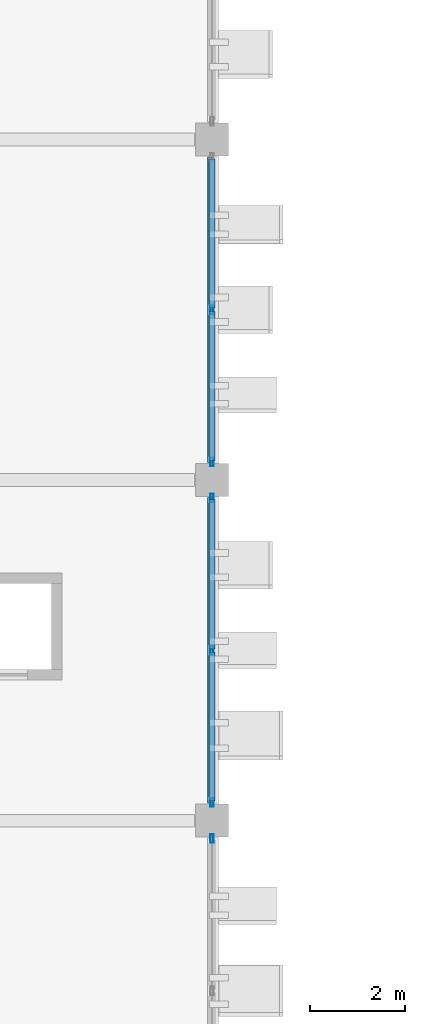
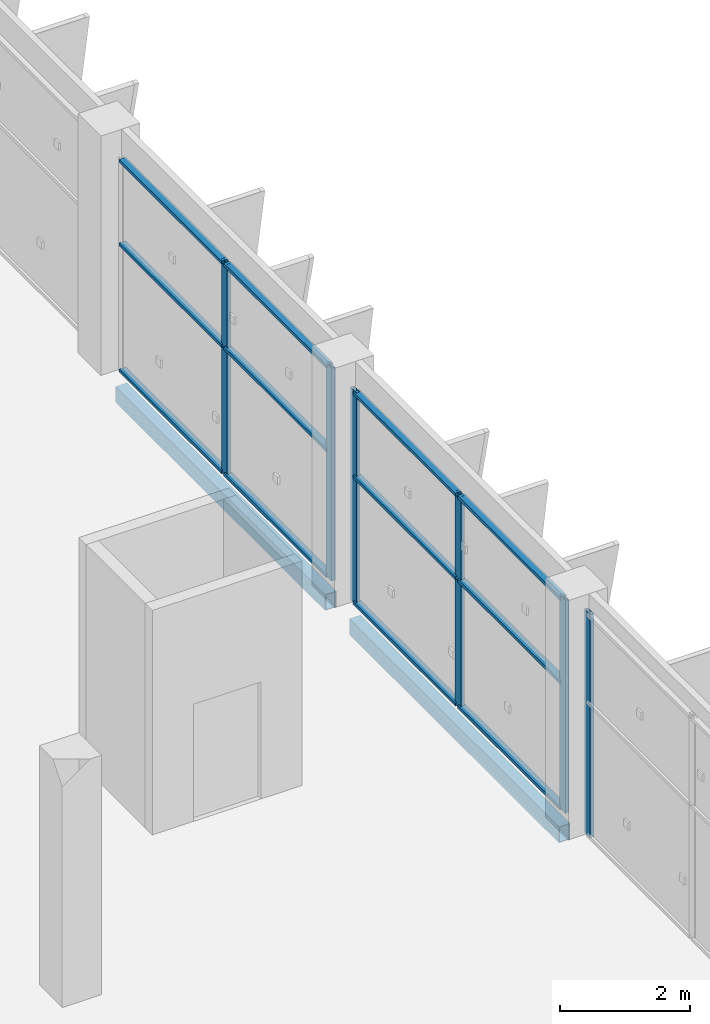
# One storey, part 49 of 151: 18 members, 2 beams, 3 elements without a shape of their own.
"""IFC4 building model written with IfcOpenShell, lengths in metres."""

from ifc_helpers import new_model, si_unit, direction, frame, origin, origin_2d, place, context, subcontext, project, spatial, hollow_rectangle, extrude, material, layer, layer_set, material_profile, profile_set, type_object, element, aggregate, save


model = new_model("IFC4")

# Units and contexts
model_context = context("Model", 3, precision=1e-05, world=origin(), true_north=direction((0.0, 1.0)))
body_context = subcontext(model_context, "Body", "Model", "MODEL_VIEW")
ifc_project = project(units=[si_unit("LENGTHUNIT", "METRE"), si_unit("AREAUNIT", "SQUARE_METRE"), si_unit("VOLUMEUNIT", "CUBIC_METRE"), si_unit("PLANEANGLEUNIT", "RADIAN"), si_unit("MASSUNIT", "GRAM", prefix="KILO")], contexts=[model_context])

# Site, building, storey
site_placement = place(None, origin())
site = spatial("IfcSite", under=ifc_project, at=site_placement, CompositionType="ELEMENT")
building_placement = place(site_placement, origin())
building = spatial("IfcBuilding", under=site, at=building_placement, Name="Celestram Park Convention Centre", CompositionType="ELEMENT")
storey_placement = place(building_placement, frame((0.0, 0.0, 10.800048828125)))
storey = spatial("IfcBuildingStorey", under=building, at=storey_placement, Name="L02", CompositionType="ELEMENT", Elevation=10.800048828125)

# Curtain wall, members
ifc_material_1 = material(Name="Anodised Aluminium Alloy 6063-T6", Category="aluminium")
ifc_layer_1 = layer(ifc_material_1, 0.179931640625)
ifc_layer_set_1 = layer_set([ifc_layer_1], Name="Anodised Aluminium Alloy 6063-T6")
curtain_wall_type_1 = type_object("IfcCurtainWallType", Name="ARC-CW-650X400", PredefinedType="NOTDEFINED", material=ifc_layer_set_1)
curtain_wall_1_placement = place(storey_placement, origin())
curtain_wall_1 = element("IfcCurtainWall", 1, at=curtain_wall_1_placement, inside=storey, type_object=curtain_wall_type_1, Name="Unitised curtain wall CU-L02-189", PredefinedType="NOTDEFINED")
ifc_material_profile_1 = material_profile(ifc_material_1, hollow_rectangle(XDim=0.06494140625, YDim=0.179931640625, WallThickness=0.00390625, at=origin_2d()), Name="ALU65X180X4")
ifc_profile_set_1 = profile_set([ifc_material_profile_1], Name="Anodised Aluminium Alloy 6063-T6")
member_type_1 = type_object("IfcMemberType", Name="ARC-CWM-150", PredefinedType="MULLION", material=ifc_profile_set_1)
member_1_placement = place(storey_placement, frame((144.0, 61.199951171875, 0.0), z_axis=(0.0, 0.0, 1.0), x_axis=(1.0, 0.0, 0.0)))
member_1 = element("IfcMember", 2, at=member_1_placement, type_object=member_type_1, Name="CW-65X40 mullion 2", PredefinedType="MULLION", context=body_context, shape_type="SweptSolid", body=[
    extrude(hollow_rectangle(XDim=0.06494140625, YDim=0.179931640625, WallThickness=0.00390625, at=origin_2d()), origin(), (0.0, 0.0, 1.0), 4.0),
])
member_2_placement = place(storey_placement, frame((144.0, 57.98046875, 0.0), z_axis=(0.0, 0.0, 1.0), x_axis=(1.0, 0.0, 0.0)))
member_2 = element("IfcMember", 3, at=member_2_placement, type_object=member_type_1, Name="CW-65X40 mullion 3", PredefinedType="MULLION", context=body_context, shape_type="SweptSolid", body=[
    extrude(hollow_rectangle(XDim=0.06494140625, YDim=0.179931640625, WallThickness=0.00390625, at=origin_2d()), origin(), (0.0, 0.0, 1.0), 4.0),
])

curtain_wall_2_placement = place(storey_placement, origin())
curtain_wall_2 = element("IfcCurtainWall", 4, at=curtain_wall_2_placement, inside=storey, type_object=curtain_wall_type_1, Name="Unitised curtain wall CU-L02-190", PredefinedType="NOTDEFINED")
member_3_placement = place(storey_placement, frame((144.0, 57.219482421875, 0.0), z_axis=(0.0, 0.0, 1.0), x_axis=(1.0, 0.0, 0.0)))
member_3 = element("IfcMember", 5, at=member_3_placement, type_object=member_type_1, Name="CW-65X40 mullion 1", PredefinedType="MULLION", context=body_context, shape_type="SweptSolid", body=[
    extrude(hollow_rectangle(XDim=0.06494140625, YDim=0.179931640625, WallThickness=0.00390625, at=origin_2d()), origin(), (0.0, 0.0, 1.0), 4.0),
])
member_4_placement = place(storey_placement, frame((144.0, 54.0, 0.0), z_axis=(0.0, 0.0, 1.0), x_axis=(1.0, 0.0, 0.0)))
member_4 = element("IfcMember", 6, at=member_4_placement, type_object=member_type_1, Name="CW-65X40 mullion 2", PredefinedType="MULLION", context=body_context, shape_type="SweptSolid", body=[
    extrude(hollow_rectangle(XDim=0.06494140625, YDim=0.179931640625, WallThickness=0.00390625, at=origin_2d()), origin(), (0.0, 0.0, 1.0), 4.0),
])
member_5_placement = place(storey_placement, frame((144.0, 50.780517578125, 0.0), z_axis=(0.0, 0.0, 1.0), x_axis=(1.0, 0.0, 0.0)))
member_5 = element("IfcMember", 7, at=member_5_placement, type_object=member_type_1, Name="CW-65X40 mullion 3", PredefinedType="MULLION", context=body_context, shape_type="SweptSolid", body=[
    extrude(hollow_rectangle(XDim=0.06494140625, YDim=0.179931640625, WallThickness=0.00390625, at=origin_2d()), origin(), (0.0, 0.0, 1.0), 4.0),
])

# Curtain wall, member
ifc_layer_2 = layer(ifc_material_1, 0.179931640625)
ifc_layer_set_2 = layer_set([ifc_layer_2], Name="Anodised Aluminium Alloy 6063-T6")
curtain_wall_type_2 = type_object("IfcCurtainWallType", Name="ARC-CW-650X420", PredefinedType="NOTDEFINED", material=ifc_layer_set_2)
curtain_wall_3_placement = place(storey_placement, origin())
curtain_wall_3 = element("IfcCurtainWall", 8, at=curtain_wall_3_placement, inside=storey, type_object=curtain_wall_type_2, Name="Unitised curtain wall CU-L02-191", PredefinedType="NOTDEFINED")
member_6_placement = place(storey_placement, frame((144.0, 50.01953125, 0.0), z_axis=(0.0, 0.0, 1.0), x_axis=(1.0, 0.0, 0.0)))
member_6 = element("IfcMember", 9, at=member_6_placement, type_object=member_type_1, Name="CW-65X42 mullion 1", PredefinedType="MULLION", context=body_context, shape_type="SweptSolid", body=[
    extrude(hollow_rectangle(XDim=0.06494140625, YDim=0.179931640625, WallThickness=0.00390625, at=origin_2d()), origin(), (0.0, 0.0, 1.0), 4.199951171875),
])
aggregate(curtain_wall_3, [member_6])

# Member
ifc_material_profile_2 = material_profile(ifc_material_1, hollow_rectangle(XDim=0.1201171875, YDim=0.06005859375, WallThickness=0.0029296875, at=origin_2d()), Name="ALU120X60X3")
ifc_profile_set_2 = profile_set([ifc_material_profile_2], Name="Anodised Aluminium Alloy 6063-T6")
member_type_2 = type_object("IfcMemberType", Name="ARC-CWT-120", PredefinedType="USERDEFINED", material=ifc_profile_set_2)
member_7_placement = place(storey_placement, frame((144.0, 64.386962890625, 0.030029296875), z_axis=(0.0, -1.0, 0.0), x_axis=(1.0, 0.0, 0.0)))
member_7 = element("IfcMember", 10, at=member_7_placement, type_object=member_type_2, Name="CW-65X40 transom 1.1", ObjectType="TRANSOM", PredefinedType="USERDEFINED", context=body_context, shape_type="SweptSolid", body=[
    extrude(hollow_rectangle(XDim=0.1201171875, YDim=0.06005859375, WallThickness=0.0029296875, at=origin_2d()), origin(), (0.0, 0.0, 1.0), 3.154541015625),
])

member_8_placement = place(storey_placement, frame((144.0, 64.386962890625, 2.39990234375), z_axis=(0.0, -1.0, 0.0), x_axis=(1.0, 0.0, 0.0)))
member_8 = element("IfcMember", 11, at=member_8_placement, type_object=member_type_2, Name="CW-65X40 transom 1.2", ObjectType="TRANSOM", PredefinedType="USERDEFINED", context=body_context, shape_type="SweptSolid", body=[
    extrude(hollow_rectangle(XDim=0.1201171875, YDim=0.06005859375, WallThickness=0.0029296875, at=origin_2d()), origin(), (0.0, 0.0, 1.0), 3.154541015625),
])

member_9_placement = place(storey_placement, frame((144.0, 64.386962890625, 3.969970703125), z_axis=(0.0, -1.0, 0.0), x_axis=(1.0, 0.0, 0.0)))
member_9 = element("IfcMember", 12, at=member_9_placement, type_object=member_type_2, Name="CW-65X40 transom 1.3", ObjectType="TRANSOM", PredefinedType="USERDEFINED", context=body_context, shape_type="SweptSolid", body=[
    extrude(hollow_rectangle(XDim=0.1201171875, YDim=0.06005859375, WallThickness=0.0029296875, at=origin_2d()), origin(), (0.0, 0.0, 1.0), 3.154541015625),
])

member_10_placement = place(storey_placement, frame((144.0, 61.16748046875, 0.030029296875), z_axis=(0.0, -1.0, 0.0), x_axis=(1.0, 0.0, 0.0)))
member_10 = element("IfcMember", 13, at=member_10_placement, type_object=member_type_2, Name="CW-65X40 transom 2.1", ObjectType="TRANSOM", PredefinedType="USERDEFINED", context=body_context, shape_type="SweptSolid", body=[
    extrude(hollow_rectangle(XDim=0.1201171875, YDim=0.06005859375, WallThickness=0.0029296875, at=origin_2d()), origin(), (0.0, 0.0, 1.0), 3.154541015625),
])

member_11_placement = place(storey_placement, frame((144.0, 61.16748046875, 2.39990234375), z_axis=(0.0, -1.0, 0.0), x_axis=(1.0, 0.0, 0.0)))
member_11 = element("IfcMember", 14, at=member_11_placement, type_object=member_type_2, Name="CW-65X40 transom 2.2", ObjectType="TRANSOM", PredefinedType="USERDEFINED", context=body_context, shape_type="SweptSolid", body=[
    extrude(hollow_rectangle(XDim=0.1201171875, YDim=0.06005859375, WallThickness=0.0029296875, at=origin_2d()), origin(), (0.0, 0.0, 1.0), 3.154541015625),
])

member_12_placement = place(storey_placement, frame((144.0, 61.16748046875, 3.969970703125), z_axis=(0.0, -1.0, 0.0), x_axis=(1.0, 0.0, 0.0)))
member_12 = element("IfcMember", 15, at=member_12_placement, type_object=member_type_2, Name="CW-65X40 transom 2.3", ObjectType="TRANSOM", PredefinedType="USERDEFINED", context=body_context, shape_type="SweptSolid", body=[
    extrude(hollow_rectangle(XDim=0.1201171875, YDim=0.06005859375, WallThickness=0.0029296875, at=origin_2d()), origin(), (0.0, 0.0, 1.0), 3.154541015625),
])

aggregate(curtain_wall_1, [member_1, member_2, member_7, member_8, member_9, member_10, member_11, member_12])

member_13_placement = place(storey_placement, frame((144.0, 57.18701171875, 0.030029296875), z_axis=(0.0, -1.0, 0.0), x_axis=(1.0, 0.0, 0.0)))
member_13 = element("IfcMember", 16, at=member_13_placement, type_object=member_type_2, Name="CW-65X40 transom 1.1", ObjectType="TRANSOM", PredefinedType="USERDEFINED", context=body_context, shape_type="SweptSolid", body=[
    extrude(hollow_rectangle(XDim=0.1201171875, YDim=0.06005859375, WallThickness=0.0029296875, at=origin_2d()), origin(), (0.0, 0.0, 1.0), 3.154541015625),
])

member_14_placement = place(storey_placement, frame((144.0, 57.18701171875, 2.39990234375), z_axis=(0.0, -1.0, 0.0), x_axis=(1.0, 0.0, 0.0)))
member_14 = element("IfcMember", 17, at=member_14_placement, type_object=member_type_2, Name="CW-65X40 transom 1.2", ObjectType="TRANSOM", PredefinedType="USERDEFINED", context=body_context, shape_type="SweptSolid", body=[
    extrude(hollow_rectangle(XDim=0.1201171875, YDim=0.06005859375, WallThickness=0.0029296875, at=origin_2d()), origin(), (0.0, 0.0, 1.0), 3.154541015625),
])

member_15_placement = place(storey_placement, frame((144.0, 57.18701171875, 3.969970703125), z_axis=(0.0, -1.0, 0.0), x_axis=(1.0, 0.0, 0.0)))
member_15 = element("IfcMember", 18, at=member_15_placement, type_object=member_type_2, Name="CW-65X40 transom 1.3", ObjectType="TRANSOM", PredefinedType="USERDEFINED", context=body_context, shape_type="SweptSolid", body=[
    extrude(hollow_rectangle(XDim=0.1201171875, YDim=0.06005859375, WallThickness=0.0029296875, at=origin_2d()), origin(), (0.0, 0.0, 1.0), 3.154541015625),
])

member_16_placement = place(storey_placement, frame((144.0, 53.967529296875, 0.030029296875), z_axis=(0.0, -1.0, 0.0), x_axis=(1.0, 0.0, 0.0)))
member_16 = element("IfcMember", 19, at=member_16_placement, type_object=member_type_2, Name="CW-65X40 transom 2.1", ObjectType="TRANSOM", PredefinedType="USERDEFINED", context=body_context, shape_type="SweptSolid", body=[
    extrude(hollow_rectangle(XDim=0.1201171875, YDim=0.06005859375, WallThickness=0.0029296875, at=origin_2d()), origin(), (0.0, 0.0, 1.0), 3.154541015625),
])

member_17_placement = place(storey_placement, frame((144.0, 53.967529296875, 2.39990234375), z_axis=(0.0, -1.0, 0.0), x_axis=(1.0, 0.0, 0.0)))
member_17 = element("IfcMember", 20, at=member_17_placement, type_object=member_type_2, Name="CW-65X40 transom 2.2", ObjectType="TRANSOM", PredefinedType="USERDEFINED", context=body_context, shape_type="SweptSolid", body=[
    extrude(hollow_rectangle(XDim=0.1201171875, YDim=0.06005859375, WallThickness=0.0029296875, at=origin_2d()), origin(), (0.0, 0.0, 1.0), 3.154541015625),
])

member_18_placement = place(storey_placement, frame((144.0, 53.967529296875, 3.969970703125), z_axis=(0.0, -1.0, 0.0), x_axis=(1.0, 0.0, 0.0)))
member_18 = element("IfcMember", 21, at=member_18_placement, type_object=member_type_2, Name="CW-65X40 transom 2.3", ObjectType="TRANSOM", PredefinedType="USERDEFINED", context=body_context, shape_type="SweptSolid", body=[
    extrude(hollow_rectangle(XDim=0.1201171875, YDim=0.06005859375, WallThickness=0.0029296875, at=origin_2d()), origin(), (0.0, 0.0, 1.0), 3.154541015625),
])

aggregate(curtain_wall_2, [member_3, member_4, member_5, member_13, member_14, member_15, member_16, member_17, member_18])

# Beams
ifc_material_2 = material(Name="Steel ASTM A500 Grade C", Category="steel")
ifc_material_profile_3 = material_profile(ifc_material_2, hollow_rectangle(XDim=0.199951171875, YDim=0.300048828125, WallThickness=0.011962890625, at=origin_2d()), Name="HSS300X200X12")
ifc_profile_set_3 = profile_set([ifc_material_profile_3], Name="Steel ASTM A500 Grade C")
beam_type = type_object("IfcBeamType", Name="STR-SPN-HSS300X200", PredefinedType="SPANDREL", material=ifc_profile_set_3)
for number, where, z_axis, x_axis, name in (
    (22, (144.0, 50.77294921875, -0.429931640625), (0.0, 1.0, 0.0), (-1.0, 0.0, 0.0), "Primary Y-girder BG-L02-0245"),
    (23, (144.0, 57.972900390625, -0.429931640625), (0.0, 1.0, 0.0), (-1.0, 0.0, 0.0), "Primary Y-girder BG-L02-0246"),
):
    element("IfcBeam", number, at=place(storey_placement, frame(where, z_axis=z_axis, x_axis=x_axis)), inside=storey, type_object=beam_type, Name=name, PredefinedType="SPANDREL", context=body_context, shape_type="SweptSolid", body=[
        extrude(hollow_rectangle(XDim=0.199951171875, YDim=0.300048828125, WallThickness=0.011962890625, at=origin_2d()), origin(), (0.0, 0.0, 1.0), 6.4541015625),
    ])

save(model, "model.ifc")
